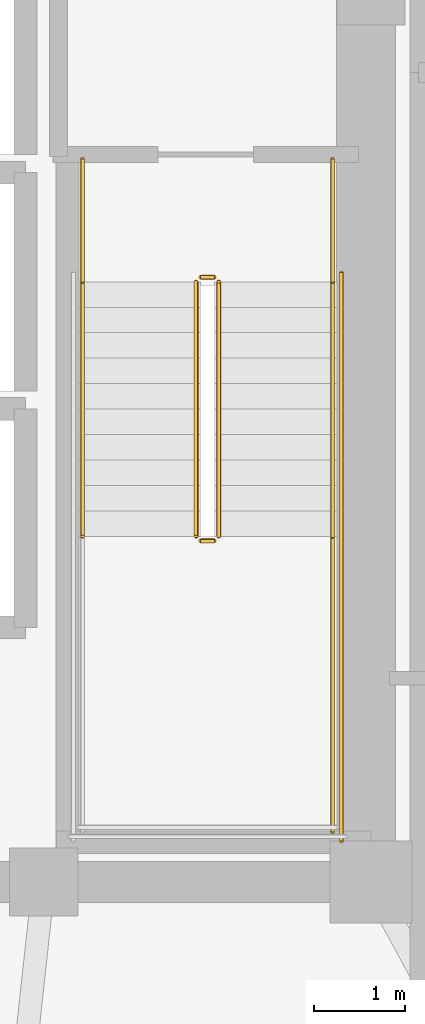
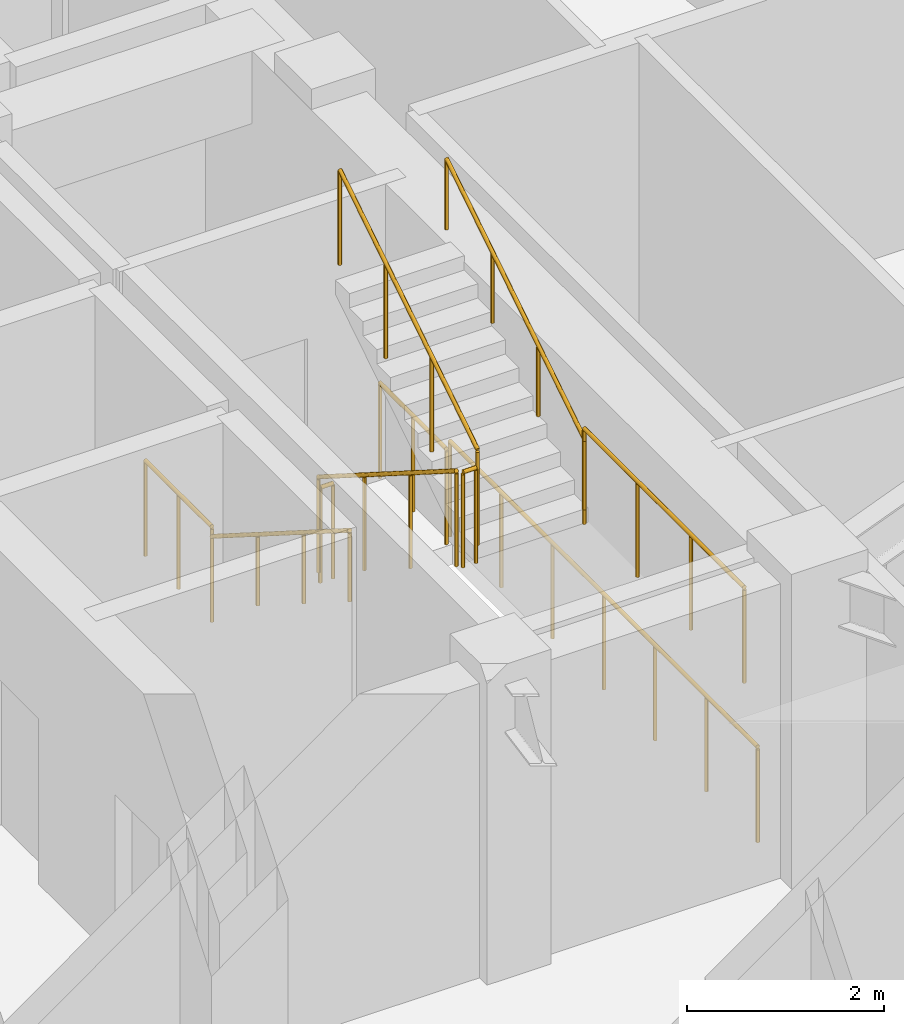
# One storey, part 12 of 12: 10 railings.
"""IFC4 building model written with IfcOpenShell, lengths in metres."""

import ifcopenshell
import ifcopenshell.guid

model = None  # the IFC model being written
_history = None  # IfcOwnerHistory: only IFC2X3 demands one
_inside = {}  # id of a spatial element -> (the spatial element, [elements in it])
_under = {}  # id of a project, library or spatial element -> (it, [spatial elements below it])
_declared = {}  # id of a project -> (the project, [libraries it declares])
_typed = {}  # id of a type object -> (the type object, [elements of that type])
_made_of = {}  # id of a material, layer set ... -> (it, [elements and type objects made of it])


def new_model(schema):
    """Start an empty IFC model of exactly this schema.

    Asked for "IFC4X3", IfcOpenShell would pick the latest addendum, in which some entities
    have other attributes; the version numbers below select the first issue.
    IFC2X3 requires an IfcOwnerHistory on every rooted entity: one is made here for all.
    """
    global model, _history
    if schema == "IFC4X3":
        model = ifcopenshell.file(schema_version=(4, 3, 0, 0))
    else:
        model = ifcopenshell.file(schema=schema)
    _inside.clear()
    _under.clear()
    _declared.clear()
    _typed.clear()
    _made_of.clear()
    _history = None
    if model.schema == "IFC2X3":
        org = make("IfcOrganization", Name="unknown")
        user = make(
            "IfcPersonAndOrganization",
            ThePerson=make("IfcPerson", FamilyName="unknown"),
            TheOrganization=org,
        )
        app = make(
            "IfcApplication",
            ApplicationDeveloper=org,
            Version="unknown",
            ApplicationFullName="unknown",
            ApplicationIdentifier="unknown",
        )
        _history = make(
            "IfcOwnerHistory",
            OwningUser=user,
            OwningApplication=app,
            ChangeAction="ADDED",
            CreationDate=0,
        )
    return model


def make(cls, **values):
    """One entity of the class cls with the attributes given. An attribute that is None is left unset."""
    return model.create_entity(
        cls, **{name: value for name, value in values.items() if value is not None}
    )


def rooted(cls, **values):
    """An entity with a GlobalId (a new one), such as an element, a storey or a relation."""
    return make(cls, GlobalId=ifcopenshell.guid.new(), OwnerHistory=_history, **values)


def si_unit(unit_type, name, prefix=None):
    """IfcSIUnit, for example si_unit("LENGTHUNIT", "METRE", prefix="MILLI")."""
    return make("IfcSIUnit", UnitType=unit_type, Prefix=prefix, Name=name)


def assignment(units):
    """IfcUnitAssignment: the units of a project."""
    return None if units is None else make("IfcUnitAssignment", Units=units)


def point(xyz):
    """IfcCartesianPoint."""
    return None if xyz is None else make("IfcCartesianPoint", Coordinates=xyz)


def direction(xyz):
    """IfcDirection."""
    return None if xyz is None else make("IfcDirection", DirectionRatios=xyz)


def frame(location, z_axis=None, x_axis=None):
    """IfcAxis2Placement3D, a coordinate frame: its origin and axes. An axis left out is left unset."""
    return make(
        "IfcAxis2Placement3D",
        Location=point(location),
        Axis=direction(z_axis),
        RefDirection=direction(x_axis),
    )


def frame_2d(location, x_axis=None):
    """IfcAxis2Placement2D, a coordinate frame in the plane: its origin and x axis."""
    return make(
        "IfcAxis2Placement2D", Location=point(location), RefDirection=direction(x_axis)
    )


def origin():
    """The frame at (0, 0, 0) with its axes left unset."""
    return frame((0.0, 0.0, 0.0))


def origin_2d():
    """The frame at (0, 0) in the plane with its x axis left unset."""
    return frame_2d((0.0, 0.0))


def place(relative_to, where):
    """IfcLocalPlacement: puts the frame where relative to a parent placement (None: the world)."""
    return make(
        "IfcLocalPlacement", PlacementRelTo=relative_to, RelativePlacement=where
    )


def context(
    kind, dimensions, precision=None, world=None, true_north=None, identifier=None
):
    """IfcGeometricRepresentationContext, for example the 3D "Model" context."""
    return make(
        "IfcGeometricRepresentationContext",
        ContextIdentifier=identifier,
        ContextType=kind,
        CoordinateSpaceDimension=dimensions,
        Precision=precision,
        WorldCoordinateSystem=world,
        TrueNorth=true_north,
    )


def subcontext(parent, identifier, kind, view, scale=None):
    """IfcGeometricRepresentationSubContext, for example "Body" below "Model"."""
    return make(
        "IfcGeometricRepresentationSubContext",
        ContextIdentifier=identifier,
        ContextType=kind,
        ParentContext=parent,
        TargetScale=scale,
        TargetView=view,
    )


def project(units=None, contexts=None):
    """IfcProject with its units and contexts."""
    return rooted(
        "IfcProject",
        Name="project",
        RepresentationContexts=contexts,
        UnitsInContext=assignment(units),
    )


def spatial(cls, under=None, at=None, **own):
    """A site, building, storey or space (cls), placed at a placement, below another one or the project."""
    s = rooted(cls, ObjectPlacement=at, **own)
    if under is not None:
        _under.setdefault(under.id(), (under, []))[1].append(s)
    return s


def profile(cls, at=None, kind="AREA", **sizes):
    """A parametric profile (cls). Its sizes go by their IFC names, for example OverallWidth=200.0."""
    return make(cls, ProfileType=kind, Position=at, **sizes)


def circle(**sizes):
    """IfcCircleProfileDef."""
    return profile("IfcCircleProfileDef", **sizes)


def extrude(swept, where, along, depth):
    """IfcExtrudedAreaSolid: the profile swept, set in the frame where, extruded along a direction by depth."""
    return make(
        "IfcExtrudedAreaSolid",
        SweptArea=swept,
        Position=where,
        ExtrudedDirection=direction(along),
        Depth=depth,
    )


def shape(context_of_items, identifier, shape_type, items):
    """IfcShapeRepresentation: the items that make up one representation, for example the "Body"."""
    return make(
        "IfcShapeRepresentation",
        ContextOfItems=context_of_items,
        RepresentationIdentifier=identifier,
        RepresentationType=shape_type,
        Items=items,
    )


def material(Name=None, Category=None):
    """IfcMaterial."""
    return make("IfcMaterial", Name=Name, Category=Category)


def made_of(thing, what):
    """Note that an element or type object is made of a material, layer set ...; save() writes the relation."""
    if what is not None:
        _made_of.setdefault(what.id(), (what, []))[1].append(thing)
    return thing


def type_object(cls, material=None, **own):
    """A type object (cls), such as IfcWallType, which elements share."""
    return made_of(rooted(cls, **own), material)


def element(
    cls,
    number,
    at=None,
    inside=None,
    cuts=None,
    type_object=None,
    material=None,
    context=None,
    identifier="Body",
    shape_type=None,
    held_by="IfcProductDefinitionShape",
    body=None,
    shapes=None,
    **own,
):
    """One element of the class cls, such as IfcWall. Its Tag is "e" and its number.

    at: its placement. inside: the storey or other place that contains it. cuts: it is an
    opening in that element (IfcRelVoidsElement). A single representation is given by context,
    identifier, shape_type and body (its items); several are given by shapes. held_by: the class
    of the entity that holds the representations. save() writes the other relations.
    """
    e = rooted(cls, Tag="e%d" % number, ObjectPlacement=at, **own)
    if body is not None:
        shapes = [shape(context, identifier, shape_type, body)]
    if shapes is not None:
        e.Representation = make(held_by, Representations=shapes)
    if inside is not None:
        _inside.setdefault(inside.id(), (inside, []))[1].append(e)
    if cuts is not None:
        rooted(
            "IfcRelVoidsElement", RelatingBuildingElement=cuts, RelatedOpeningElement=e
        )
    if type_object is not None:
        _typed.setdefault(type_object.id(), (type_object, []))[1].append(e)
    return made_of(e, material)


def aggregate(whole, parts):
    """IfcRelAggregates: a whole, such as a stair, and the parts it consists of."""
    return rooted("IfcRelAggregates", RelatingObject=whole, RelatedObjects=parts)


def save(model, path):
    """Write the relations noted so far, then the file.

    IfcRelAggregates (storeys below a building ...), IfcRelContainedInSpatialStructure (elements
    in a storey), IfcRelDefinesByType, IfcRelAssociatesMaterial and IfcRelDeclares: one each for
    every whole, place, type object, material and project.
    """
    for whole, parts in _under.values():
        aggregate(whole, parts)
    for where, things in _inside.values():
        rooted(
            "IfcRelContainedInSpatialStructure",
            RelatedElements=things,
            RelatingStructure=where,
        )
    for kind, things in _typed.values():
        rooted("IfcRelDefinesByType", RelatedObjects=things, RelatingType=kind)
    for what, things in _made_of.values():
        rooted("IfcRelAssociatesMaterial", RelatedObjects=things, RelatingMaterial=what)
    for by, libraries in _declared.values():
        rooted("IfcRelDeclares", RelatingContext=by, RelatedDefinitions=libraries)
    model.write(path)


model = new_model("IFC4")

# Units and contexts
model_context = context("Model", 3, precision=1e-05, world=origin(), true_north=direction((0.0, 1.0)))
body_context = subcontext(model_context, "Body", "Model", "MODEL_VIEW")
ifc_project = project(units=[si_unit("LENGTHUNIT", "METRE"), si_unit("AREAUNIT", "SQUARE_METRE"), si_unit("VOLUMEUNIT", "CUBIC_METRE"), si_unit("PLANEANGLEUNIT", "RADIAN"), si_unit("MASSUNIT", "GRAM", prefix="KILO")], contexts=[model_context])

# Site, building, storey
site_placement = place(None, origin())
site = spatial("IfcSite", under=ifc_project, at=site_placement, CompositionType="ELEMENT")
building_placement = place(site_placement, origin())
building = spatial("IfcBuilding", under=site, at=building_placement, Name="Voryun Gate Residences", CompositionType="ELEMENT")
storey_placement = place(building_placement, frame((0.0, 0.0, 159.89990234375)))
storey = spatial("IfcBuildingStorey", under=building, at=storey_placement, Name="L39", CompositionType="ELEMENT", Elevation=159.89990234375)

# Railings
ifc_material_1 = material(Name="Painted steel", Category="steel")
railing_type_1 = type_object("IfcRailingType", Name="RAIL_STAIR_GUARD_1200", PredefinedType="GUARDRAIL", material=ifc_material_1)
railing_1_placement = place(storey_placement, frame((17.27490234375, -0.800048828125, 0.177490234375)))
element("IfcRailing", 1, at=railing_1_placement, inside=storey, type_object=railing_type_1, Name="L39 ST-E1 stair guard 1", PredefinedType="GUARDRAIL", context=body_context, shape_type="SweptSolid", body=[
    extrude(circle(Radius=0.02392578125, at=origin_2d()), frame((0.0, 0.0, 1.17578125), z_axis=(0.0, -0.844908973607, 0.534910110503), x_axis=(1.0, 0.0, 0.0)), (0.0, 0.0, 1.0), 3.31396484375),
    extrude(circle(Radius=0.02099609375, at=origin_2d()), origin(), (0.0, 0.0, 1.0), 1.15185546875),
    extrude(circle(Radius=0.02099609375, at=origin_2d()), frame((0.0, -0.933349609375, 0.5908203125)), (0.0, 0.0, 1.0), 1.15185546875),
    extrude(circle(Radius=0.02099609375, at=origin_2d()), frame((0.0, -1.86669921875, 1.181884765625)), (0.0, 0.0, 1.0), 1.15185546875),
    extrude(circle(Radius=0.02099609375, at=origin_2d()), frame((0.0, -2.800048828125, 1.772705078125)), (0.0, 0.0, 1.0), 1.15185546875),
])
railing_2_placement = place(storey_placement, frame((17.324951171875, -3.64990234375, 1.9501953125)))
element("IfcRailing", 2, at=railing_2_placement, inside=storey, type_object=railing_type_1, Name="L39 ST-E1 stair guard 2", PredefinedType="GUARDRAIL", context=body_context, shape_type="SweptSolid", body=[
    extrude(circle(Radius=0.02392578125, at=origin_2d()), frame((0.0, 0.0, 1.17578125), z_axis=(1.0, 0.0, 0.0), x_axis=(0.0, 1.0, 0.0)), (0.0, 0.0, 1.0), 0.150146484375),
    extrude(circle(Radius=0.02099609375, at=origin_2d()), origin(), (0.0, 0.0, 1.0), 1.15185546875),
    extrude(circle(Radius=0.02099609375, at=origin_2d()), frame((0.150146484375, 0.0, 0.0)), (0.0, 0.0, 1.0), 1.15185546875),
])
railing_3_placement = place(storey_placement, frame((18.77490234375, -3.60009765625, 1.9501953125)))
element("IfcRailing", 3, at=railing_3_placement, inside=storey, type_object=railing_type_1, Name="L39 ST-E1 stair guard 4", PredefinedType="GUARDRAIL", context=body_context, shape_type="SweptSolid", body=[
    extrude(circle(Radius=0.02392578125, at=origin_2d()), frame((0.0, 0.0, 1.17578125), z_axis=(0.0, -1.0, 0.0), x_axis=(1.0, 0.0, 0.0)), (0.0, 0.0, 1.0), 3.25),
    extrude(circle(Radius=0.02099609375, at=origin_2d()), origin(), (0.0, 0.0, 1.0), 1.15185546875),
    extrude(circle(Radius=0.02099609375, at=origin_2d()), frame((0.0, -1.083251953125, 0.0)), (0.0, 0.0, 1.0), 1.15185546875),
    extrude(circle(Radius=0.02099609375, at=origin_2d()), frame((0.0, -2.166748046875, 0.0)), (0.0, 0.0, 1.0), 1.15185546875),
    extrude(circle(Radius=0.02099609375, at=origin_2d()), frame((0.0, -3.25, 0.0)), (0.0, 0.0, 1.0), 1.15185546875),
])
railing_4_placement = place(storey_placement, frame((17.52490234375, -3.60009765625, 2.12744140625)))
element("IfcRailing", 4, at=railing_4_placement, inside=storey, type_object=railing_type_1, Name="L39 ST-E1 stair guard 6", PredefinedType="GUARDRAIL", context=body_context, shape_type="SweptSolid", body=[
    extrude(circle(Radius=0.02392578125, at=origin_2d()), frame((0.0, 0.0, 1.17578125), z_axis=(0.0, 0.844908973607, 0.534910110503), x_axis=(-1.0, 0.0, 0.0)), (0.0, 0.0, 1.0), 3.31396484375),
    extrude(circle(Radius=0.02099609375, at=origin_2d()), origin(), (0.0, 0.0, 1.0), 1.15185546875),
    extrude(circle(Radius=0.02099609375, at=origin_2d()), frame((0.0, 0.933349609375, 0.5908203125)), (0.0, 0.0, 1.0), 1.15185546875),
    extrude(circle(Radius=0.02099609375, at=origin_2d()), frame((0.0, 1.86669921875, 1.181884765625)), (0.0, 0.0, 1.0), 1.15185546875),
    extrude(circle(Radius=0.02099609375, at=origin_2d()), frame((0.0, 2.800048828125, 1.772705078125)), (0.0, 0.0, 1.0), 1.15185546875),
])
railing_5_placement = place(storey_placement, frame((17.324951171875, -0.75, 0.0)))
element("IfcRailing", 5, at=railing_5_placement, inside=storey, type_object=railing_type_1, Name="L39 ST-E1 stair guard 7", PredefinedType="GUARDRAIL", context=body_context, shape_type="SweptSolid", body=[
    extrude(circle(Radius=0.02392578125, at=origin_2d()), frame((0.0, 0.0, 1.17578125), z_axis=(1.0, 0.0, 0.0), x_axis=(0.0, 1.0, 0.0)), (0.0, 0.0, 1.0), 0.150146484375),
    extrude(circle(Radius=0.02099609375, at=origin_2d()), origin(), (0.0, 0.0, 1.0), 1.15185546875),
    extrude(circle(Radius=0.02099609375, at=origin_2d()), frame((0.150146484375, 0.0, 0.0)), (0.0, 0.0, 1.0), 1.15185546875),
])
for number, where, name in (
    (6, (16.02490234375, 0.550048828125, 0.0), "L39 ST-E1 stair guard 8"),
    (7, (18.77490234375, 0.550048828125, 0.0), "L39 ST-E1 stair guard 9"),
):
    element("IfcRailing", number, at=place(storey_placement, frame(where)), inside=storey, type_object=railing_type_1, Name=name, PredefinedType="GUARDRAIL", context=body_context, shape_type="SweptSolid", body=[
        extrude(circle(Radius=0.02392578125, at=origin_2d()), frame((0.0, 0.0, 1.17578125), z_axis=(0.0, -1.0, 0.0), x_axis=(1.0, 0.0, 0.0)), (0.0, 0.0, 1.0), 1.35009765625),
        extrude(circle(Radius=0.02099609375, at=origin_2d()), origin(), (0.0, 0.0, 1.0), 1.15185546875),
        extrude(circle(Radius=0.02099609375, at=origin_2d()), frame((0.0, -0.675048828125, 0.0)), (0.0, 0.0, 1.0), 1.15185546875),
        extrude(circle(Radius=0.02099609375, at=origin_2d()), frame((0.0, -1.35009765625, 0.0)), (0.0, 0.0, 1.0), 1.15185546875),
    ])
railing_6_placement = place(storey_placement, frame((18.875, -0.699951171875, 0.0)))
element("IfcRailing", 8, at=railing_6_placement, inside=storey, type_object=railing_type_1, Name="L39 ST-E1 stair guard 11", PredefinedType="GUARDRAIL", context=body_context, shape_type="SweptSolid", body=[
    extrude(circle(Radius=0.02392578125, at=origin_2d()), frame((0.0, 0.0, 1.17578125), z_axis=(0.0, -1.0, 0.0), x_axis=(1.0, 0.0, 0.0)), (0.0, 0.0, 1.0), 6.25),
    extrude(circle(Radius=0.02099609375, at=origin_2d()), origin(), (0.0, 0.0, 1.0), 1.15185546875),
    extrude(circle(Radius=0.02099609375, at=origin_2d()), frame((0.0, -1.041748046875, 0.0)), (0.0, 0.0, 1.0), 1.15185546875),
    extrude(circle(Radius=0.02099609375, at=origin_2d()), frame((0.0, -2.083251953125, 0.0)), (0.0, 0.0, 1.0), 1.15185546875),
    extrude(circle(Radius=0.02099609375, at=origin_2d()), frame((0.0, -3.125, 0.0)), (0.0, 0.0, 1.0), 1.15185546875),
    extrude(circle(Radius=0.02099609375, at=origin_2d()), frame((0.0, -4.166748046875, 0.0)), (0.0, 0.0, 1.0), 1.15185546875),
    extrude(circle(Radius=0.02099609375, at=origin_2d()), frame((0.0, -5.208251953125, 0.0)), (0.0, 0.0, 1.0), 1.15185546875),
    extrude(circle(Radius=0.02099609375, at=origin_2d()), frame((0.0, -6.25, 0.0)), (0.0, 0.0, 1.0), 1.15185546875),
])
ifc_material_2 = material(Name="Painted steel", Category="steel")
railing_type_2 = type_object("IfcRailingType", Name="RAIL_STAIR_HANDRAIL_900", PredefinedType="HANDRAIL", material=ifc_material_2)
railing_7_placement = place(storey_placement, frame((16.02490234375, -0.800048828125, 0.177490234375)))
element("IfcRailing", 9, at=railing_7_placement, inside=storey, type_object=railing_type_2, Name="L39 ST-E1 stair handrail 1", PredefinedType="HANDRAIL", context=body_context, shape_type="SweptSolid", body=[
    extrude(circle(Radius=0.02392578125, at=origin_2d()), frame((0.0, 0.0, 0.8759765625), z_axis=(0.0, -0.844908973607, 0.534910110503), x_axis=(1.0, 0.0, 0.0)), (0.0, 0.0, 1.0), 3.31396484375),
    extrude(circle(Radius=0.02099609375, at=origin_2d()), origin(), (0.0, 0.0, 1.0), 0.851806640625),
    extrude(circle(Radius=0.02099609375, at=origin_2d()), frame((0.0, -0.933349609375, 0.5908203125)), (0.0, 0.0, 1.0), 0.851806640625),
    extrude(circle(Radius=0.02099609375, at=origin_2d()), frame((0.0, -1.86669921875, 1.181884765625)), (0.0, 0.0, 1.0), 0.851806640625),
    extrude(circle(Radius=0.02099609375, at=origin_2d()), frame((0.0, -2.800048828125, 1.772705078125)), (0.0, 0.0, 1.0), 0.851806640625),
])
railing_8_placement = place(storey_placement, frame((18.77490234375, -3.60009765625, 2.12744140625)))
element("IfcRailing", 10, at=railing_8_placement, inside=storey, type_object=railing_type_2, Name="L39 ST-E1 stair handrail 2", PredefinedType="HANDRAIL", context=body_context, shape_type="SweptSolid", body=[
    extrude(circle(Radius=0.02392578125, at=origin_2d()), frame((0.0, 0.0, 0.8759765625), z_axis=(0.0, 0.844908973607, 0.534910110503), x_axis=(-1.0, 0.0, 0.0)), (0.0, 0.0, 1.0), 3.31396484375),
    extrude(circle(Radius=0.02099609375, at=origin_2d()), origin(), (0.0, 0.0, 1.0), 0.851806640625),
    extrude(circle(Radius=0.02099609375, at=origin_2d()), frame((0.0, 0.933349609375, 0.5908203125)), (0.0, 0.0, 1.0), 0.851806640625),
    extrude(circle(Radius=0.02099609375, at=origin_2d()), frame((0.0, 1.86669921875, 1.181884765625)), (0.0, 0.0, 1.0), 0.851806640625),
    extrude(circle(Radius=0.02099609375, at=origin_2d()), frame((0.0, 2.800048828125, 1.772705078125)), (0.0, 0.0, 1.0), 0.851806640625),
])

save(model, "model.ifc")
